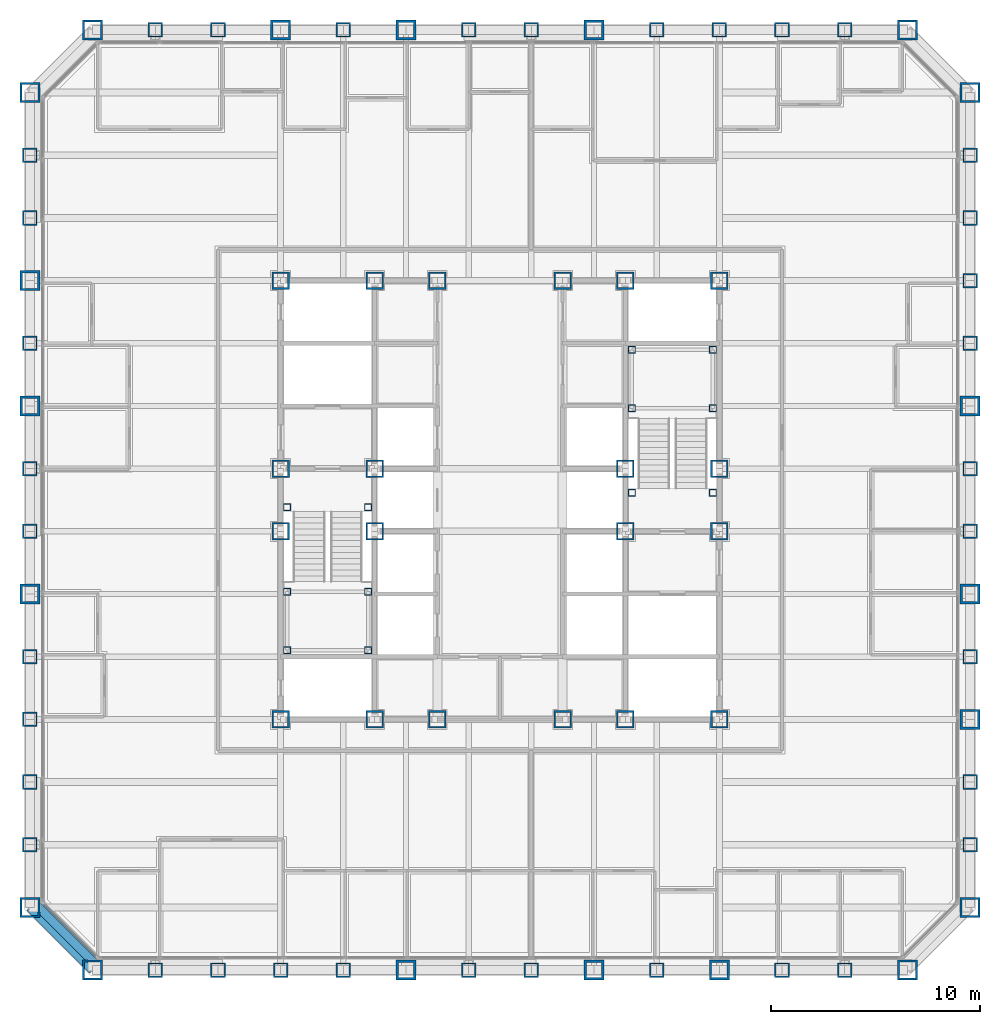
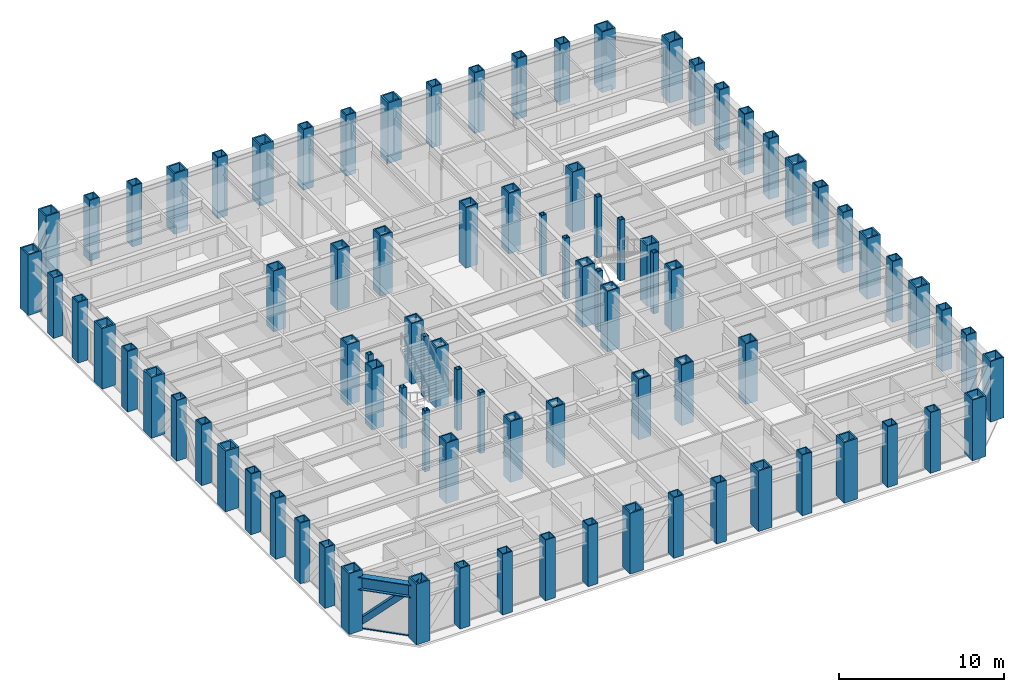
# One storey, part 1 of 16: 88 columns, 2 members, 1 beam, 1 element without a shape of its own.
"""IFC4 building model written with IfcOpenShell, lengths in metres."""

import ifcopenshell
import ifcopenshell.guid

model = None  # the IFC model being written
_history = None  # IfcOwnerHistory: only IFC2X3 demands one
_inside = {}  # id of a spatial element -> (the spatial element, [elements in it])
_under = {}  # id of a project, library or spatial element -> (it, [spatial elements below it])
_declared = {}  # id of a project -> (the project, [libraries it declares])
_typed = {}  # id of a type object -> (the type object, [elements of that type])
_made_of = {}  # id of a material, layer set ... -> (it, [elements and type objects made of it])


def new_model(schema):
    """Start an empty IFC model of exactly this schema.

    Asked for "IFC4X3", IfcOpenShell would pick the latest addendum, in which some entities
    have other attributes; the version numbers below select the first issue.
    IFC2X3 requires an IfcOwnerHistory on every rooted entity: one is made here for all.
    """
    global model, _history
    if schema == "IFC4X3":
        model = ifcopenshell.file(schema_version=(4, 3, 0, 0))
    else:
        model = ifcopenshell.file(schema=schema)
    _inside.clear()
    _under.clear()
    _declared.clear()
    _typed.clear()
    _made_of.clear()
    _history = None
    if model.schema == "IFC2X3":
        org = make("IfcOrganization", Name="unknown")
        user = make(
            "IfcPersonAndOrganization",
            ThePerson=make("IfcPerson", FamilyName="unknown"),
            TheOrganization=org,
        )
        app = make(
            "IfcApplication",
            ApplicationDeveloper=org,
            Version="unknown",
            ApplicationFullName="unknown",
            ApplicationIdentifier="unknown",
        )
        _history = make(
            "IfcOwnerHistory",
            OwningUser=user,
            OwningApplication=app,
            ChangeAction="ADDED",
            CreationDate=0,
        )
    return model


def make(cls, **values):
    """One entity of the class cls with the attributes given. An attribute that is None is left unset."""
    return model.create_entity(
        cls, **{name: value for name, value in values.items() if value is not None}
    )


def rooted(cls, **values):
    """An entity with a GlobalId (a new one), such as an element, a storey or a relation."""
    return make(cls, GlobalId=ifcopenshell.guid.new(), OwnerHistory=_history, **values)


def si_unit(unit_type, name, prefix=None):
    """IfcSIUnit, for example si_unit("LENGTHUNIT", "METRE", prefix="MILLI")."""
    return make("IfcSIUnit", UnitType=unit_type, Prefix=prefix, Name=name)


def assignment(units):
    """IfcUnitAssignment: the units of a project."""
    return None if units is None else make("IfcUnitAssignment", Units=units)


def point(xyz):
    """IfcCartesianPoint."""
    return None if xyz is None else make("IfcCartesianPoint", Coordinates=xyz)


def direction(xyz):
    """IfcDirection."""
    return None if xyz is None else make("IfcDirection", DirectionRatios=xyz)


def frame(location, z_axis=None, x_axis=None):
    """IfcAxis2Placement3D, a coordinate frame: its origin and axes. An axis left out is left unset."""
    return make(
        "IfcAxis2Placement3D",
        Location=point(location),
        Axis=direction(z_axis),
        RefDirection=direction(x_axis),
    )


def frame_2d(location, x_axis=None):
    """IfcAxis2Placement2D, a coordinate frame in the plane: its origin and x axis."""
    return make(
        "IfcAxis2Placement2D", Location=point(location), RefDirection=direction(x_axis)
    )


def origin():
    """The frame at (0, 0, 0) with its axes left unset."""
    return frame((0.0, 0.0, 0.0))


def origin_2d():
    """The frame at (0, 0) in the plane with its x axis left unset."""
    return frame_2d((0.0, 0.0))


def place(relative_to, where):
    """IfcLocalPlacement: puts the frame where relative to a parent placement (None: the world)."""
    return make(
        "IfcLocalPlacement", PlacementRelTo=relative_to, RelativePlacement=where
    )


def context(
    kind, dimensions, precision=None, world=None, true_north=None, identifier=None
):
    """IfcGeometricRepresentationContext, for example the 3D "Model" context."""
    return make(
        "IfcGeometricRepresentationContext",
        ContextIdentifier=identifier,
        ContextType=kind,
        CoordinateSpaceDimension=dimensions,
        Precision=precision,
        WorldCoordinateSystem=world,
        TrueNorth=true_north,
    )


def subcontext(parent, identifier, kind, view, scale=None):
    """IfcGeometricRepresentationSubContext, for example "Body" below "Model"."""
    return make(
        "IfcGeometricRepresentationSubContext",
        ContextIdentifier=identifier,
        ContextType=kind,
        ParentContext=parent,
        TargetScale=scale,
        TargetView=view,
    )


def project(units=None, contexts=None):
    """IfcProject with its units and contexts."""
    return rooted(
        "IfcProject",
        Name="project",
        RepresentationContexts=contexts,
        UnitsInContext=assignment(units),
    )


def spatial(cls, under=None, at=None, **own):
    """A site, building, storey or space (cls), placed at a placement, below another one or the project."""
    s = rooted(cls, ObjectPlacement=at, **own)
    if under is not None:
        _under.setdefault(under.id(), (under, []))[1].append(s)
    return s


def profile(cls, at=None, kind="AREA", **sizes):
    """A parametric profile (cls). Its sizes go by their IFC names, for example OverallWidth=200.0."""
    return make(cls, ProfileType=kind, Position=at, **sizes)


def rectangle(**sizes):
    """IfcRectangleProfileDef."""
    return profile("IfcRectangleProfileDef", **sizes)


def hollow_rectangle(**sizes):
    """IfcRectangleHollowProfileDef."""
    return profile("IfcRectangleHollowProfileDef", **sizes)


def i_section(**sizes):
    """IfcIShapeProfileDef."""
    return profile("IfcIShapeProfileDef", **sizes)


def extrude(swept, where, along, depth):
    """IfcExtrudedAreaSolid: the profile swept, set in the frame where, extruded along a direction by depth."""
    return make(
        "IfcExtrudedAreaSolid",
        SweptArea=swept,
        Position=where,
        ExtrudedDirection=direction(along),
        Depth=depth,
    )


def shape(context_of_items, identifier, shape_type, items):
    """IfcShapeRepresentation: the items that make up one representation, for example the "Body"."""
    return make(
        "IfcShapeRepresentation",
        ContextOfItems=context_of_items,
        RepresentationIdentifier=identifier,
        RepresentationType=shape_type,
        Items=items,
    )


def material(Name=None, Category=None):
    """IfcMaterial."""
    return make("IfcMaterial", Name=Name, Category=Category)


def layer(
    of_material, thickness, ventilated=None, Name=None, Category=None, Priority=None
):
    """IfcMaterialLayer: one layer of a wall or slab, of a material (None: an air gap)."""
    return make(
        "IfcMaterialLayer",
        Material=of_material,
        LayerThickness=thickness,
        IsVentilated=ventilated,
        Name=Name,
        Category=Category,
        Priority=Priority,
    )


def layer_set(layers, Name=None):
    """IfcMaterialLayerSet."""
    return make("IfcMaterialLayerSet", MaterialLayers=layers, LayerSetName=Name)


def material_profile(
    of_material, cross_section, Name=None, Category=None, Priority=None
):
    """IfcMaterialProfile: a cross section and its material."""
    return make(
        "IfcMaterialProfile",
        Name=Name,
        Material=of_material,
        Profile=cross_section,
        Priority=Priority,
        Category=Category,
    )


def profile_set(profiles, Name=None, composite=None):
    """IfcMaterialProfileSet."""
    return make(
        "IfcMaterialProfileSet",
        Name=Name,
        MaterialProfiles=profiles,
        CompositeProfile=composite,
    )


def made_of(thing, what):
    """Note that an element or type object is made of a material, layer set ...; save() writes the relation."""
    if what is not None:
        _made_of.setdefault(what.id(), (what, []))[1].append(thing)
    return thing


def type_object(cls, material=None, **own):
    """A type object (cls), such as IfcWallType, which elements share."""
    return made_of(rooted(cls, **own), material)


def element(
    cls,
    number,
    at=None,
    inside=None,
    cuts=None,
    type_object=None,
    material=None,
    context=None,
    identifier="Body",
    shape_type=None,
    held_by="IfcProductDefinitionShape",
    body=None,
    shapes=None,
    **own,
):
    """One element of the class cls, such as IfcWall. Its Tag is "e" and its number.

    at: its placement. inside: the storey or other place that contains it. cuts: it is an
    opening in that element (IfcRelVoidsElement). A single representation is given by context,
    identifier, shape_type and body (its items); several are given by shapes. held_by: the class
    of the entity that holds the representations. save() writes the other relations.
    """
    e = rooted(cls, Tag="e%d" % number, ObjectPlacement=at, **own)
    if body is not None:
        shapes = [shape(context, identifier, shape_type, body)]
    if shapes is not None:
        e.Representation = make(held_by, Representations=shapes)
    if inside is not None:
        _inside.setdefault(inside.id(), (inside, []))[1].append(e)
    if cuts is not None:
        rooted(
            "IfcRelVoidsElement", RelatingBuildingElement=cuts, RelatedOpeningElement=e
        )
    if type_object is not None:
        _typed.setdefault(type_object.id(), (type_object, []))[1].append(e)
    return made_of(e, material)


def aggregate(whole, parts):
    """IfcRelAggregates: a whole, such as a stair, and the parts it consists of."""
    return rooted("IfcRelAggregates", RelatingObject=whole, RelatedObjects=parts)


def save(model, path):
    """Write the relations noted so far, then the file.

    IfcRelAggregates (storeys below a building ...), IfcRelContainedInSpatialStructure (elements
    in a storey), IfcRelDefinesByType, IfcRelAssociatesMaterial and IfcRelDeclares: one each for
    every whole, place, type object, material and project.
    """
    for whole, parts in _under.values():
        aggregate(whole, parts)
    for where, things in _inside.values():
        rooted(
            "IfcRelContainedInSpatialStructure",
            RelatedElements=things,
            RelatingStructure=where,
        )
    for kind, things in _typed.values():
        rooted("IfcRelDefinesByType", RelatedObjects=things, RelatingType=kind)
    for what, things in _made_of.values():
        rooted("IfcRelAssociatesMaterial", RelatedObjects=things, RelatingMaterial=what)
    for by, libraries in _declared.values():
        rooted("IfcRelDeclares", RelatingContext=by, RelatedDefinitions=libraries)
    model.write(path)


model = new_model("IFC4")

# Units and contexts
model_context = context("Model", 3, precision=1e-05, world=origin(), true_north=direction((0.0, 1.0)))
body_context = subcontext(model_context, "Body", "Model", "MODEL_VIEW")
ifc_project = project(units=[si_unit("LENGTHUNIT", "METRE"), si_unit("AREAUNIT", "SQUARE_METRE"), si_unit("VOLUMEUNIT", "CUBIC_METRE"), si_unit("PLANEANGLEUNIT", "RADIAN"), si_unit("MASSUNIT", "GRAM", prefix="KILO")], contexts=[model_context])

# Site, building, storey
site_placement = place(None, origin())
site = spatial("IfcSite", under=ifc_project, at=site_placement, CompositionType="ELEMENT")
building_placement = place(site_placement, origin())
building = spatial("IfcBuilding", under=site, at=building_placement, Name="Chuquiago Exchange Tower", CompositionType="ELEMENT")
storey_placement = place(building_placement, frame((0.0, 0.0, 55.800048828125)))
storey = spatial("IfcBuildingStorey", under=building, at=storey_placement, Name="L11", CompositionType="ELEMENT", Elevation=55.800048828125)

# Columns
ifc_material_1 = material(Name="Steel ASTM A572 Grade 50", Category="steel")
ifc_material_profile_1 = material_profile(ifc_material_1, hollow_rectangle(XDim=0.699951171875, YDim=0.699951171875, WallThickness=0.070068359375, at=origin_2d()), Name="BOX700X700X70")
ifc_profile_set_1 = profile_set([ifc_material_profile_1], Name="Steel ASTM A572 Grade 50")
column_type_1 = type_object("IfcColumnType", Name="C2 BOX700X700X70", PredefinedType="COLUMN", material=ifc_profile_set_1)
for number, where, z_axis, x_axis, name in (
    (1, (6.0, 0.0, 0.0), (0.0, 0.0, 1.0), (0.0, -1.0, 0.0), "COL-L11-6_0"),
    (2, (9.0, 0.0, 0.0), (0.0, 0.0, 1.0), (0.0, -1.0, 0.0), "COL-L11-9_0"),
    (3, (12.0, 0.0, 0.0), (0.0, 0.0, 1.0), (0.0, -1.0, 0.0), "COL-L11-12_0"),
    (4, (15.0, 0.0, 0.0), (0.0, 0.0, 1.0), (0.0, -1.0, 0.0), "COL-L11-15_0"),
    (5, (21.0, 0.0, 0.0), (0.0, 0.0, 1.0), (0.0, -1.0, 0.0), "COL-L11-21_0"),
    (6, (24.0, 0.0, 0.0), (0.0, 0.0, 1.0), (0.0, -1.0, 0.0), "COL-L11-24_0"),
    (7, (30.0, 0.0, 0.0), (0.0, 0.0, 1.0), (0.0, -1.0, 0.0), "COL-L11-30_0"),
    (8, (36.0, 0.0, 0.0), (0.0, 0.0, 1.0), (0.0, -1.0, 0.0), "COL-L11-36_0"),
    (9, (39.0, 0.0, 0.0), (0.0, 0.0, 1.0), (0.0, -1.0, 0.0), "COL-L11-39_0"),
    (10, (45.0, 6.0, 0.0), (0.0, 0.0, 1.0), (1.0, 0.0, 0.0), "COL-L11-45_6"),
    (11, (45.0, 9.0, 0.0), (0.0, 0.0, 1.0), (1.0, 0.0, 0.0), "COL-L11-45_9"),
    (12, (45.0, 15.0, 0.0), (0.0, 0.0, 1.0), (1.0, 0.0, 0.0), "COL-L11-45_15"),
    (13, (45.0, 21.0, 0.0), (0.0, 0.0, 1.0), (1.0, 0.0, 0.0), "COL-L11-45_21"),
    (14, (45.0, 24.0, 0.0), (0.0, 0.0, 1.0), (1.0, 0.0, 0.0), "COL-L11-45_24"),
    (15, (45.0, 30.0, 0.0), (0.0, 0.0, 1.0), (1.0, 0.0, 0.0), "COL-L11-45_30"),
    (16, (45.0, 33.0, 0.0), (0.0, 0.0, 1.0), (1.0, 0.0, 0.0), "COL-L11-45_33"),
    (17, (45.0, 36.0, 0.0), (0.0, 0.0, 1.0), (1.0, 0.0, 0.0), "COL-L11-45_36"),
    (18, (45.0, 39.0, 0.0), (0.0, 0.0, 1.0), (1.0, 0.0, 0.0), "COL-L11-45_39"),
    (19, (39.0, 45.0, 0.0), (0.0, 0.0, 1.0), (0.0, 1.0, 0.0), "COL-L11-39_45"),
    (20, (36.0, 45.0, 0.0), (0.0, 0.0, 1.0), (0.0, 1.0, 0.0), "COL-L11-36_45"),
    (21, (33.0, 45.0, 0.0), (0.0, 0.0, 1.0), (0.0, 1.0, 0.0), "COL-L11-33_45"),
    (22, (30.0, 45.0, 0.0), (0.0, 0.0, 1.0), (0.0, 1.0, 0.0), "COL-L11-30_45"),
    (23, (24.0, 45.0, 0.0), (0.0, 0.0, 1.0), (0.0, 1.0, 0.0), "COL-L11-24_45"),
    (24, (21.0, 45.0, 0.0), (0.0, 0.0, 1.0), (0.0, 1.0, 0.0), "COL-L11-21_45"),
    (25, (15.0, 45.0, 0.0), (0.0, 0.0, 1.0), (0.0, 1.0, 0.0), "COL-L11-15_45"),
    (26, (9.0, 45.0, 0.0), (0.0, 0.0, 1.0), (0.0, 1.0, 0.0), "COL-L11-9_45"),
    (27, (6.0, 45.0, 0.0), (0.0, 0.0, 1.0), (0.0, 1.0, 0.0), "COL-L11-6_45"),
    (28, (0.0, 39.0, 0.0), (0.0, 0.0, 1.0), (-1.0, 0.0, 0.0), "COL-L11-0_39"),
    (29, (0.0, 36.0, 0.0), (0.0, 0.0, 1.0), (-1.0, 0.0, 0.0), "COL-L11-0_36"),
    (30, (0.0, 30.0, 0.0), (0.0, 0.0, 1.0), (-1.0, 0.0, 0.0), "COL-L11-0_30"),
    (31, (0.0, 24.0, 0.0), (0.0, 0.0, 1.0), (-1.0, 0.0, 0.0), "COL-L11-0_24"),
    (32, (0.0, 21.0, 0.0), (0.0, 0.0, 1.0), (-1.0, 0.0, 0.0), "COL-L11-0_21"),
    (33, (0.0, 15.0, 0.0), (0.0, 0.0, 1.0), (-1.0, 0.0, 0.0), "COL-L11-0_15"),
    (34, (0.0, 12.0, 0.0), (0.0, 0.0, 1.0), (-1.0, 0.0, 0.0), "COL-L11-0_12"),
    (35, (0.0, 9.0, 0.0), (0.0, 0.0, 1.0), (-1.0, 0.0, 0.0), "COL-L11-0_9"),
    (36, (0.0, 6.0, 0.0), (0.0, 0.0, 1.0), (-1.0, 0.0, 0.0), "COL-L11-0_6"),
):
    element("IfcColumn", number, at=place(storey_placement, frame(where, z_axis=z_axis, x_axis=x_axis)), inside=storey, type_object=column_type_1, Name=name, PredefinedType="COLUMN", context=body_context, shape_type="SweptSolid", body=[
        extrude(hollow_rectangle(XDim=0.699951171875, YDim=0.699951171875, WallThickness=0.070068359375, at=origin_2d()), origin(), (0.0, 0.0, 1.0), 4.5),
    ])
ifc_material_2 = material(Name="Steel ASTM A572 Grade 50", Category="steel")
ifc_material_profile_2 = material_profile(ifc_material_2, hollow_rectangle(XDim=0.85009765625, YDim=0.85009765625, WallThickness=0.0849609375, at=origin_2d()), Name="BOX850X850X85")
ifc_profile_set_2 = profile_set([ifc_material_profile_2], Name="Steel ASTM A572 Grade 50")
column_type_2 = type_object("IfcColumnType", Name="CC2 BOX850X850X85", PredefinedType="COLUMN", material=ifc_profile_set_2)
for number, where, z_axis, x_axis, name in (
    (37, (16.5, 12.0, 0.0), (0.0, 0.0, 1.0), (1.0, 0.0, 0.0), "CCOL-L11-16.5_12"),
    (38, (19.5, 12.0, 0.0), (0.0, 0.0, 1.0), (1.0, 0.0, 0.0), "CCOL-L11-19.5_12"),
    (39, (25.5, 12.0, 0.0), (0.0, 0.0, 1.0), (1.0, 0.0, 0.0), "CCOL-L11-25.5_12"),
    (40, (28.5, 12.0, 0.0), (0.0, 0.0, 1.0), (1.0, 0.0, 0.0), "CCOL-L11-28.5_12"),
    (41, (16.5, 33.0, 0.0), (0.0, 0.0, 1.0), (1.0, 0.0, 0.0), "CCOL-L11-16.5_33"),
    (42, (19.5, 33.0, 0.0), (0.0, 0.0, 1.0), (1.0, 0.0, 0.0), "CCOL-L11-19.5_33"),
    (43, (25.5, 33.0, 0.0), (0.0, 0.0, 1.0), (1.0, 0.0, 0.0), "CCOL-L11-25.5_33"),
    (44, (28.5, 33.0, 0.0), (0.0, 0.0, 1.0), (1.0, 0.0, 0.0), "CCOL-L11-28.5_33"),
    (45, (12.0, 21.0, 0.0), (0.0, 0.0, 1.0), (1.0, 0.0, 0.0), "CCOL-L11-12_21"),
    (46, (12.0, 24.0, 0.0), (0.0, 0.0, 1.0), (1.0, 0.0, 0.0), "CCOL-L11-12_24"),
    (47, (33.0, 21.0, 0.0), (0.0, 0.0, 1.0), (1.0, 0.0, 0.0), "CCOL-L11-33_21"),
    (48, (33.0, 24.0, 0.0), (0.0, 0.0, 1.0), (1.0, 0.0, 0.0), "CCOL-L11-33_24"),
    (49, (16.5, 21.0, 0.0), (0.0, 0.0, 1.0), (1.0, 0.0, 0.0), "CCOL-L11-16.5_21"),
    (50, (16.5, 24.0, 0.0), (0.0, 0.0, 1.0), (1.0, 0.0, 0.0), "CCOL-L11-16.5_24"),
    (51, (28.5, 21.0, 0.0), (0.0, 0.0, 1.0), (1.0, 0.0, 0.0), "CCOL-L11-28.5_21"),
    (52, (28.5, 24.0, 0.0), (0.0, 0.0, 1.0), (1.0, 0.0, 0.0), "CCOL-L11-28.5_24"),
):
    element("IfcColumn", number, at=place(storey_placement, frame(where, z_axis=z_axis, x_axis=x_axis)), inside=storey, type_object=column_type_2, Name=name, PredefinedType="COLUMN", context=body_context, shape_type="SweptSolid", body=[
        extrude(hollow_rectangle(XDim=0.85009765625, YDim=0.85009765625, WallThickness=0.0849609375, at=origin_2d()), origin(), (0.0, 0.0, 1.0), 4.5),
    ])
ifc_material_3 = material(Name="Steel ASTM A572 Grade 50", Category="steel")
ifc_material_profile_3 = material_profile(ifc_material_3, hollow_rectangle(XDim=0.85009765625, YDim=0.85009765625, WallThickness=0.0849609375, at=origin_2d()), Name="BOX850X850X85")
ifc_profile_set_3 = profile_set([ifc_material_profile_3], Name="Steel ASTM A572 Grade 50")
column_type_3 = type_object("IfcColumnType", Name="CC6 BOX850X850X85", PredefinedType="COLUMN", material=ifc_profile_set_3)
for number, where, z_axis, x_axis, name in (
    (53, (12.0, 12.0, 0.0), (0.0, 0.0, 1.0), (1.0, 0.0, 0.0), "CCOL-L11-12_12"),
    (54, (33.0, 12.0, 0.0), (0.0, 0.0, 1.0), (1.0, 0.0, 0.0), "CCOL-L11-33_12"),
    (55, (12.0, 33.0, 0.0), (0.0, 0.0, 1.0), (1.0, 0.0, 0.0), "CCOL-L11-12_33"),
    (56, (33.0, 33.0, 0.0), (0.0, 0.0, 1.0), (1.0, 0.0, 0.0), "CCOL-L11-33_33"),
):
    element("IfcColumn", number, at=place(storey_placement, frame(where, z_axis=z_axis, x_axis=x_axis)), inside=storey, type_object=column_type_3, Name=name, PredefinedType="COLUMN", context=body_context, shape_type="SweptSolid", body=[
        extrude(hollow_rectangle(XDim=0.85009765625, YDim=0.85009765625, WallThickness=0.0849609375, at=origin_2d()), origin(), (0.0, 0.0, 1.0), 4.5),
    ])
ifc_material_4 = material(Name="Steel ASTM A572 Grade 50", Category="steel")
ifc_material_profile_4 = material_profile(ifc_material_4, hollow_rectangle(XDim=0.949951171875, YDim=0.949951171875, WallThickness=0.094970703125, at=origin_2d()), Name="BOX950X950X95")
ifc_profile_set_4 = profile_set([ifc_material_profile_4], Name="Steel ASTM A572 Grade 50")
column_type_4 = type_object("IfcColumnType", Name="CN1 BOX950X950X95", PredefinedType="COLUMN", material=ifc_profile_set_4)
for number, where, z_axis, x_axis, name in (
    (57, (3.0, 0.0, 0.0), (0.0, 0.0, 1.0), (0.0, -1.0, 0.0), "COL-L11-3_0"),
    (58, (42.0, 0.0, 0.0), (0.0, 0.0, 1.0), (0.0, -1.0, 0.0), "COL-L11-42_0"),
    (59, (45.0, 3.0, 0.0), (0.0, 0.0, 1.0), (1.0, 0.0, 0.0), "COL-L11-45_3"),
    (60, (45.0, 42.0, 0.0), (0.0, 0.0, 1.0), (1.0, 0.0, 0.0), "COL-L11-45_42"),
    (61, (42.0, 45.0, 0.0), (0.0, 0.0, 1.0), (0.0, 1.0, 0.0), "COL-L11-42_45"),
    (62, (3.0, 45.0, 0.0), (0.0, 0.0, 1.0), (0.0, 1.0, 0.0), "COL-L11-3_45"),
    (63, (0.0, 42.0, 0.0), (0.0, 0.0, 1.0), (-1.0, 0.0, 0.0), "COL-L11-0_42"),
    (64, (0.0, 3.0, 0.0), (0.0, 0.0, 1.0), (-1.0, 0.0, 0.0), "COL-L11-0_3"),
):
    element("IfcColumn", number, at=place(storey_placement, frame(where, z_axis=z_axis, x_axis=x_axis)), inside=storey, type_object=column_type_4, Name=name, PredefinedType="COLUMN", context=body_context, shape_type="SweptSolid", body=[
        extrude(hollow_rectangle(XDim=0.949951171875, YDim=0.949951171875, WallThickness=0.094970703125, at=origin_2d()), origin(), (0.0, 0.0, 1.0), 4.5),
    ])
ifc_material_5 = material(Name="Steel ASTM A572 Grade 42", Category="steel")
ifc_material_profile_5 = material_profile(ifc_material_5, hollow_rectangle(XDim=0.949951171875, YDim=0.949951171875, WallThickness=0.110107421875, at=origin_2d()), Name="BOX950X950X110")
ifc_profile_set_5 = profile_set([ifc_material_profile_5], Name="Steel ASTM A572 Grade 42")
column_type_5 = type_object("IfcColumnType", Name="CT1 BOX950X950X110", PredefinedType="COLUMN", material=ifc_profile_set_5)
for number, where, z_axis, x_axis, name in (
    (65, (18.0, 0.0, 0.0), (0.0, 0.0, 1.0), (0.0, -1.0, 0.0), "COL-L11-18_0"),
    (66, (27.0, 0.0, 0.0), (0.0, 0.0, 1.0), (0.0, -1.0, 0.0), "COL-L11-27_0"),
    (67, (33.0, 0.0, 0.0), (0.0, 0.0, 1.0), (0.0, -1.0, 0.0), "COL-L11-33_0"),
    (68, (45.0, 12.0, 0.0), (0.0, 0.0, 1.0), (1.0, 0.0, 0.0), "COL-L11-45_12"),
    (69, (45.0, 18.0, 0.0), (0.0, 0.0, 1.0), (1.0, 0.0, 0.0), "COL-L11-45_18"),
    (70, (45.0, 27.0, 0.0), (0.0, 0.0, 1.0), (1.0, 0.0, 0.0), "COL-L11-45_27"),
    (71, (27.0, 45.0, 0.0), (0.0, 0.0, 1.0), (0.0, 1.0, 0.0), "COL-L11-27_45"),
    (72, (18.0, 45.0, 0.0), (0.0, 0.0, 1.0), (0.0, 1.0, 0.0), "COL-L11-18_45"),
    (73, (12.0, 45.0, 0.0), (0.0, 0.0, 1.0), (0.0, 1.0, 0.0), "COL-L11-12_45"),
    (74, (0.0, 33.0, 0.0), (0.0, 0.0, 1.0), (-1.0, 0.0, 0.0), "COL-L11-0_33"),
    (75, (0.0, 27.0, 0.0), (0.0, 0.0, 1.0), (-1.0, 0.0, 0.0), "COL-L11-0_27"),
    (76, (0.0, 18.0, 0.0), (0.0, 0.0, 1.0), (-1.0, 0.0, 0.0), "COL-L11-0_18"),
):
    element("IfcColumn", number, at=place(storey_placement, frame(where, z_axis=z_axis, x_axis=x_axis)), inside=storey, type_object=column_type_5, Name=name, PredefinedType="COLUMN", context=body_context, shape_type="SweptSolid", body=[
        extrude(hollow_rectangle(XDim=0.949951171875, YDim=0.949951171875, WallThickness=0.110107421875, at=origin_2d()), origin(), (0.0, 0.0, 1.0), 4.5),
    ])
ifc_material_6 = material(Name="Steel ASTM A572 Grade 50", Category="steel")
ifc_material_profile_6 = material_profile(ifc_material_6, hollow_rectangle(XDim=0.35009765625, YDim=0.35009765625, WallThickness=0.034912109375, at=origin_2d()), Name="BOX350X350X35")
ifc_profile_set_6 = profile_set([ifc_material_profile_6], Name="Steel ASTM A572 Grade 50")
column_type_6 = type_object("IfcColumnType", Name="PT3 BOX350X350X35", PredefinedType="COLUMN", material=ifc_profile_set_6)
for number, where, z_axis, x_axis, name in (
    (77, (12.31005859375, 15.31005859375, 0.0), (0.0, 0.0, 1.0), (1.0, 0.0, 0.0), "Stair ST1 L11 landing post"),
    (78, (16.18994140625, 15.31005859375, 0.0), (0.0, 0.0, 1.0), (1.0, 0.0, 0.0), "Stair ST1 L11 landing post"),
    (79, (12.31005859375, 18.110107421875, 0.0), (0.0, 0.0, 1.0), (1.0, 0.0, 0.0), "Stair ST1 L11 landing post"),
    (80, (16.18994140625, 18.110107421875, 0.0), (0.0, 0.0, 1.0), (1.0, 0.0, 0.0), "Stair ST1 L11 landing post"),
    (81, (12.31005859375, 22.14990234375, 0.0), (0.0, 0.0, 1.0), (1.0, 0.0, 0.0), "Stair ST1 L11 landing post"),
    (82, (16.18994140625, 22.14990234375, 0.0), (0.0, 0.0, 1.0), (1.0, 0.0, 0.0), "Stair ST1 L11 landing post"),
    (83, (28.81005859375, 29.68994140625, 0.0), (0.0, 0.0, 1.0), (1.0, 0.0, 0.0), "Stair ST2 L11 landing post"),
    (84, (32.68994140625, 29.68994140625, 0.0), (0.0, 0.0, 1.0), (1.0, 0.0, 0.0), "Stair ST2 L11 landing post"),
    (85, (28.81005859375, 26.889892578125, 0.0), (0.0, 0.0, 1.0), (1.0, 0.0, 0.0), "Stair ST2 L11 landing post"),
    (86, (32.68994140625, 26.889892578125, 0.0), (0.0, 0.0, 1.0), (1.0, 0.0, 0.0), "Stair ST2 L11 landing post"),
    (87, (28.81005859375, 22.85009765625, 0.0), (0.0, 0.0, 1.0), (1.0, 0.0, 0.0), "Stair ST2 L11 landing post"),
    (88, (32.68994140625, 22.85009765625, 0.0), (0.0, 0.0, 1.0), (1.0, 0.0, 0.0), "Stair ST2 L11 landing post"),
):
    element("IfcColumn", number, at=place(storey_placement, frame(where, z_axis=z_axis, x_axis=x_axis)), inside=storey, type_object=column_type_6, Name=name, PredefinedType="COLUMN", context=body_context, shape_type="SweptSolid", body=[
        extrude(hollow_rectangle(XDim=0.35009765625, YDim=0.35009765625, WallThickness=0.034912109375, at=origin_2d()), origin(), (0.0, 0.0, 1.0), 4.5),
    ])

# Curtain wall, member
ifc_material_7 = material(Name="Aluminium curtain wall system", Category="aluminium")
ifc_layer = layer(ifc_material_7, 0.199951171875)
ifc_layer_set = layer_set([ifc_layer], Name="CW3 facet curtain wall")
curtain_wall_type = type_object("IfcCurtainWallType", Name="CW3 facet curtain wall", PredefinedType="NOTDEFINED", material=ifc_layer_set)
curtain_wall_placement = place(storey_placement, origin())
curtain_wall = element("IfcCurtainWall", 89, at=curtain_wall_placement, inside=storey, type_object=curtain_wall_type, Name="CW3 curtain wall L11", PredefinedType="NOTDEFINED")
ifc_material_8 = material(Name="Aluminium transom, pale anodised", Category="aluminium")
ifc_material_profile_7 = material_profile(ifc_material_8, rectangle(XDim=0.139892578125, YDim=0.06494140625, at=origin_2d()), Name="AL 140x65")
ifc_profile_set_7 = profile_set([ifc_material_profile_7], Name="Aluminium transom, pale anodised")
member_type_1 = type_object("IfcMemberType", Name="CW3-T transom 65x140", PredefinedType="MULLION", material=ifc_profile_set_7)
member_1_placement = place(storey_placement, frame((0.64599609375, 3.20263671875, -0.267578125), z_axis=(0.707106781187, -0.707106781187, 0.0), x_axis=(0.707106781187, 0.707106781187, 0.0)))
member_1 = element("IfcMember", 90, at=member_1_placement, type_object=member_type_1, Name="CW3 transom 1.1", PredefinedType="MULLION", context=body_context, shape_type="SweptSolid", body=[
    extrude(rectangle(XDim=0.139892578125, YDim=0.06494140625, at=origin_2d()), origin(), (0.0, 0.0, 1.0), 3.61572265625),
])
aggregate(curtain_wall, [member_1])

# Member
ifc_material_9 = material(Name="Steel ASTM A500 Grade C", Category="steel")
ifc_material_profile_8 = material_profile(ifc_material_9, hollow_rectangle(XDim=0.406494140625, YDim=0.406494140625, WallThickness=0.0146484375, at=origin_2d()), Name="HSS16X16X5/8")
ifc_profile_set_8 = profile_set([ifc_material_profile_8], Name="Steel ASTM A500 Grade C")
member_type_2 = type_object("IfcMemberType", Name="LB4 HSS16X16X5/8", PredefinedType="BRACE", material=ifc_profile_set_8)
member_2_placement = place(storey_placement, frame((0.21337890625, 3.21337890625, 0.0), z_axis=(0.512077265487, -0.512077265487, 0.689604051861), x_axis=(0.707106781187, 0.707106781187, 0.0)))
element("IfcMember", 91, at=member_2_placement, inside=storey, type_object=member_type_2, Name="LB-L11-0_3-3_0", PredefinedType="BRACE", context=body_context, shape_type="SweptSolid", body=[
    extrude(hollow_rectangle(XDim=0.406494140625, YDim=0.406494140625, WallThickness=0.0146484375, at=origin_2d()), origin(), (0.0, 0.0, 1.0), 5.8583984375),
])

# Beam
ifc_material_10 = material(Name="Steel ASTM A992", Category="steel")
ifc_material_profile_9 = material_profile(ifc_material_10, i_section(OverallWidth=0.424072265625, OverallDepth=0.947509765625, WebThickness=0.02392578125, FlangeThickness=0.042724609375, at=origin_2d()), Name="W36X302")
ifc_profile_set_9 = profile_set([ifc_material_profile_9], Name="Steel ASTM A992")
beam_type = type_object("IfcBeamType", Name="SP1 W36X302", PredefinedType="SPANDREL", material=ifc_profile_set_9)
beam_placement = place(storey_placement, frame((0.0, 3.0, 3.566162109375), z_axis=(0.707106781187, -0.707106781187, 0.0), x_axis=(0.707106781187, 0.707106781187, 0.0)))
element("IfcBeam", 92, at=beam_placement, inside=storey, type_object=beam_type, Name="SPB-L12-0_3-3_0", PredefinedType="SPANDREL", context=body_context, shape_type="SweptSolid", body=[
    extrude(i_section(OverallWidth=0.424072265625, OverallDepth=0.947509765625, WebThickness=0.02392578125, FlangeThickness=0.042724609375, at=origin_2d()), origin(), (0.0, 0.0, 1.0), 4.24267578125),
])

save(model, "model.ifc")
